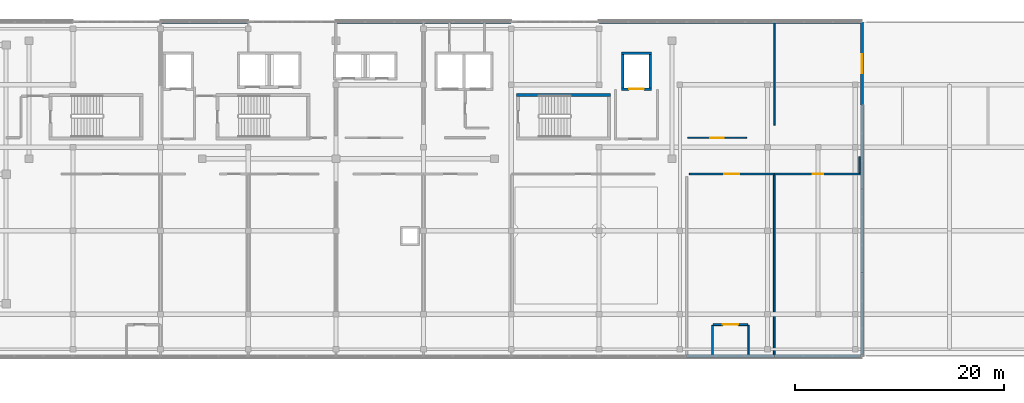
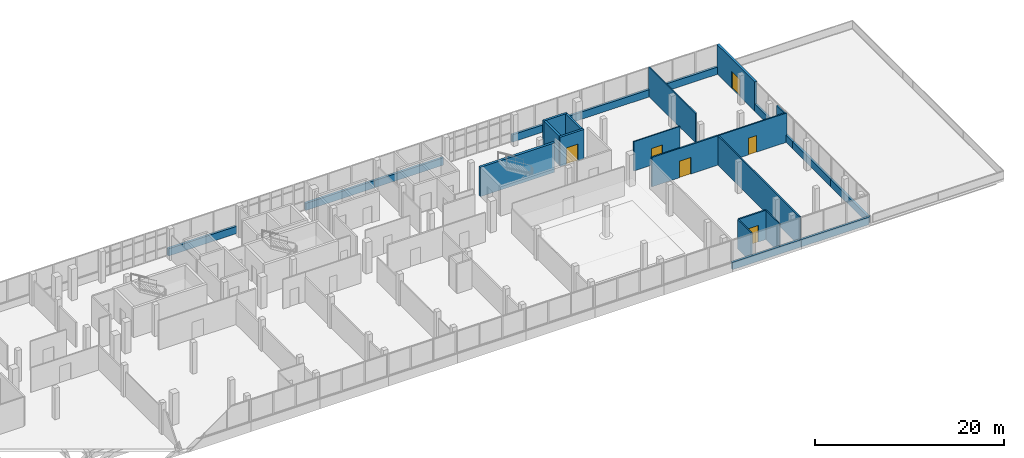
# One storey, part 59 of 66: 26 walls, 6 doors, 6 openings.
"""IFC4 building model written with IfcOpenShell, lengths in metres."""

from ifc_helpers import new_model, si_unit, direction, frame, frame_2d, origin, place, context, subcontext, project, spatial, rectangle, extrude, material, layer, layer_set, type_object, element, fill, save


model = new_model("IFC4")

# Units and contexts
model_context = context("Model", 3, precision=1e-05, world=origin(), true_north=direction((0.0, 1.0)))
body_context = subcontext(model_context, "Body", "Model", "MODEL_VIEW")
ifc_project = project(units=[si_unit("LENGTHUNIT", "METRE"), si_unit("AREAUNIT", "SQUARE_METRE"), si_unit("VOLUMEUNIT", "CUBIC_METRE"), si_unit("PLANEANGLEUNIT", "RADIAN"), si_unit("MASSUNIT", "GRAM", prefix="KILO")], contexts=[model_context])

# Site, building, storey
site_placement = place(None, origin())
site = spatial("IfcSite", under=ifc_project, at=site_placement, CompositionType="ELEMENT")
building_placement = place(site_placement, origin())
building = spatial("IfcBuilding", under=site, at=building_placement, Name="Selatvlak General Hospital", CompositionType="ELEMENT")
storey_placement = place(building_placement, frame((0.0, 0.0, 31.35009765625)))
storey = spatial("IfcBuildingStorey", under=building, at=storey_placement, Name="L07", CompositionType="ELEMENT", Elevation=31.35009765625)

# Walls
ifc_material_1 = material(Name="Precast concrete C40/50 - white Bauhaus spandrel", Category="concrete")
ifc_layer_1 = layer(ifc_material_1, 0.280029296875, Name="Precast concrete C40/50 - white Bauhaus spandrel", Category="concrete")
ifc_layer_set_1 = layer_set([ifc_layer_1], Name="Precast concrete C40/50 - white Bauhaus spandrel")
wall_type_1 = type_object("IfcWallType", Name="WALL-EW-02", PredefinedType="SOLIDWALL", material=ifc_layer_set_1)
wall_1_placement = place(storey_placement, frame((98.40087890625, 120.0, 0.0), z_axis=(0.0, 0.0, 1.0), x_axis=(1.0, 0.0, 0.0)))
element("IfcWall", 1, at=wall_1_placement, inside=storey, type_object=wall_type_1, Name="L07 Bauhaus spandrel sill wall 0576", PredefinedType="SOLIDWALL", context=body_context, shape_type="SweptSolid", body=[
    extrude(rectangle(XDim=8.396240234375, YDim=0.280029296875, at=frame_2d((4.1982421875, 0.0))), origin(), (0.0, 0.0, 1.0), 0.93994140625),
])
for number, where, z_axis, x_axis, name in (
    (2, (115.200927734375, 120.0, 0.0), (0.0, 0.0, 1.0), (1.0, 0.0, 0.0), "L07 Bauhaus spandrel sill wall 0577"),
    (3, (123.60107421875, 120.0, 0.0), (0.0, 0.0, 1.0), (1.0, 0.0, 0.0), "L07 Bauhaus spandrel sill wall 0578"),
):
    element("IfcWall", number, at=place(storey_placement, frame(where, z_axis=z_axis, x_axis=x_axis)), inside=storey, type_object=wall_type_1, Name=name, PredefinedType="SOLIDWALL", context=body_context, shape_type="SweptSolid", body=[
        extrude(rectangle(XDim=8.39599609375, YDim=0.280029296875, at=frame_2d((4.197998046875, 0.0))), origin(), (0.0, 0.0, 1.0), 0.93994140625),
    ])
wall_2_placement = place(storey_placement, frame((140.40087890625, 120.0, 0.0), z_axis=(0.0, 0.0, 1.0), x_axis=(1.0, 0.0, 0.0)))
element("IfcWall", 4, at=wall_2_placement, inside=storey, type_object=wall_type_1, Name="L07 Bauhaus spandrel sill wall 0579", PredefinedType="SOLIDWALL", context=body_context, shape_type="SweptSolid", body=[
    extrude(rectangle(XDim=8.396240234375, YDim=0.280029296875, at=frame_2d((4.1982421875, 0.0))), origin(), (0.0, 0.0, 1.0), 0.93994140625),
])
wall_3_placement = place(storey_placement, frame((148.801025390625, 120.0, 0.0), z_axis=(0.0, 0.0, 1.0), x_axis=(1.0, 0.0, 0.0)))
element("IfcWall", 5, at=wall_3_placement, inside=storey, type_object=wall_type_1, Name="L07 Bauhaus spandrel sill wall 0580", PredefinedType="SOLIDWALL", context=body_context, shape_type="SweptSolid", body=[
    extrude(rectangle(XDim=8.39599609375, YDim=0.280029296875, at=frame_2d((4.197998046875, 0.0))), origin(), (0.0, 0.0, 1.0), 0.93994140625),
])
wall_4_placement = place(storey_placement, frame((157.200927734375, 120.0, 0.0), z_axis=(0.0, 0.0, 1.0), x_axis=(1.0, 0.0, 0.0)))
element("IfcWall", 6, at=wall_4_placement, inside=storey, type_object=wall_type_1, Name="L07 Bauhaus spandrel sill wall 0581", PredefinedType="SOLIDWALL", context=body_context, shape_type="SweptSolid", body=[
    extrude(rectangle(XDim=8.258056640625, YDim=0.280029296875, at=frame_2d((4.12890625, 0.0))), origin(), (0.0, 0.0, 1.0), 0.93994140625),
])

# Wall, opening, door
wall_5_placement = place(storey_placement, frame((165.59912109375, 120.0, 0.0), z_axis=(0.0, 0.0, 1.0), x_axis=(0.0, -1.0, 0.0)))
wall_5 = element("IfcWall", 7, at=wall_5_placement, inside=storey, type_object=wall_type_1, Name="L07 exterior wall 0582", PredefinedType="SOLIDWALL", context=body_context, shape_type="SweptSolid", body=[
    extrude(rectangle(XDim=8.0, YDim=0.280029296875, at=frame_2d((4.0, 0.0))), origin(), (0.0, 0.0, 1.0), 3.784912109375),
])
opening_1_placement = place(wall_5_placement, frame((3.10009765625, 0.0, 0.0)))
opening_1 = element("IfcOpeningElement", 8, at=opening_1_placement, cuts=wall_5, Name="Opening DE-04", PredefinedType="OPENING", context=body_context, shape_type="SweptSolid", body=[
    extrude(rectangle(XDim=1.800048828125, YDim=2.199951171875, at=frame_2d((0.89990234375, 1.10009765625))), frame((0.0, 0.14990234375, 0.0), z_axis=(0.0, -1.0, 0.0), x_axis=(1.0, 0.0, 0.0)), (0.0, 0.0, 1.0), 0.300048828125),
])
ifc_material_2 = material(Name="Anodised aluminium terrace double door", Category="aluminium")
door_type_1 = type_object("IfcDoorType", Name="DOOR-DE-04", OperationType="DOUBLE_DOOR_SINGLE_SWING", PredefinedType="DOOR", material=ifc_material_2)
door_1_placement = place(opening_1_placement, origin())
door_1 = element("IfcDoor", 9, at=door_1_placement, inside=storey, type_object=door_type_1, Name="L07 healing roof terrace door 033", OperationType="DOUBLE_DOOR_SINGLE_SWING", OverallHeight=2.199951171875, OverallWidth=1.800048828125, PredefinedType="DOOR", context=body_context, shape_type="SweptSolid", body=[
    extrude(rectangle(XDim=1.800048828125, YDim=2.199951171875, at=frame_2d((0.89990234375, 1.10009765625))), frame((0.0, 0.02490234375, 0.0), z_axis=(0.0, -1.0, 0.0), x_axis=(1.0, 0.0, 0.0)), (0.0, 0.0, 1.0), 0.050048828125),
])
fill(opening_1, door_1)

# Walls
wall_6_placement = place(storey_placement, frame((165.59912109375, 111.998046875, 0.0), z_axis=(0.0, 0.0, 1.0), x_axis=(0.0, -1.0, 0.0)))
element("IfcWall", 10, at=wall_6_placement, inside=storey, type_object=wall_type_1, Name="L07 Bauhaus spandrel sill wall 0583", PredefinedType="SOLIDWALL", context=body_context, shape_type="SweptSolid", body=[
    extrude(rectangle(XDim=7.9951171875, YDim=0.280029296875, at=frame_2d((3.99755859375, 0.0))), origin(), (0.0, 0.0, 1.0), 0.93994140625),
])
wall_7_placement = place(storey_placement, frame((165.59912109375, 103.9990234375, 0.0), z_axis=(0.0, 0.0, 1.0), x_axis=(0.000122129945, -0.999999992542, 0.0)))
element("IfcWall", 11, at=wall_7_placement, inside=storey, type_object=wall_type_1, Name="L07 Bauhaus spandrel sill wall 0584", PredefinedType="SOLIDWALL", context=body_context, shape_type="SweptSolid", body=[
    extrude(rectangle(XDim=7.99609375, YDim=0.280029296875, at=frame_2d((3.998046875, 0.0))), origin(), (0.0, 0.0, 1.0), 0.93994140625),
])
wall_8_placement = place(storey_placement, frame((165.60009765625, 95.9990234375, 0.0), z_axis=(0.0, 0.0, 1.0), x_axis=(0.0, -1.0, 0.0)))
element("IfcWall", 12, at=wall_8_placement, inside=storey, type_object=wall_type_1, Name="L07 Bauhaus spandrel sill wall 0585", PredefinedType="SOLIDWALL", context=body_context, shape_type="SweptSolid", body=[
    extrude(rectangle(XDim=7.85791015625, YDim=0.280029296875, at=frame_2d((3.928955078125, 0.0))), origin(), (0.0, 0.0, 1.0), 0.93994140625),
])
wall_9_placement = place(storey_placement, frame((165.4599609375, 88.0009765625, 0.0), z_axis=(0.0, 0.0, 1.0), x_axis=(-1.0, 0.0, 0.0)))
element("IfcWall", 13, at=wall_9_placement, inside=storey, type_object=wall_type_1, Name="L07 Bauhaus spandrel sill wall 0586", PredefinedType="SOLIDWALL", context=body_context, shape_type="SweptSolid", body=[
    extrude(rectangle(XDim=8.258056640625, YDim=0.280029296875, at=frame_2d((4.12890625, 0.0))), origin(), (0.0, 0.0, 1.0), 0.93994140625),
])
wall_10_placement = place(storey_placement, frame((157.197998046875, 88.0009765625, 0.0), z_axis=(0.0, 0.0, 1.0), x_axis=(-1.0, 0.0, 0.0)))
element("IfcWall", 14, at=wall_10_placement, inside=storey, type_object=wall_type_1, Name="L07 Bauhaus spandrel sill wall 0587", PredefinedType="SOLIDWALL", context=body_context, shape_type="SweptSolid", body=[
    extrude(rectangle(XDim=8.39599609375, YDim=0.280029296875, at=frame_2d((4.197998046875, 0.0))), origin(), (0.0, 0.0, 1.0), 0.93994140625),
])

# Wall, opening, door
ifc_material_3 = material(Name="Acoustic gypsum stud partition")
ifc_layer_2 = layer(ifc_material_3, 0.179931640625, Name="Acoustic gypsum stud partition")
ifc_layer_set_2 = layer_set([ifc_layer_2], Name="Acoustic gypsum stud partition")
wall_type_2 = type_object("IfcWallType", Name="WALL-PT-01", PredefinedType="PARTITIONING", material=ifc_layer_set_2)
wall_11_placement = place(storey_placement, frame((149.055908203125, 105.43994140625, 0.0), z_axis=(0.0, 0.0, 1.0), x_axis=(1.0, 0.0, 0.0)))
wall_11 = element("IfcWall", 15, at=wall_11_placement, inside=storey, type_object=wall_type_2, Name="L07 clinical partition PT-L07-2106", PredefinedType="PARTITIONING", context=body_context, shape_type="SweptSolid", body=[
    extrude(rectangle(XDim=8.14404296875, YDim=0.179931640625, at=frame_2d((4.072021484375, 0.0))), origin(), (0.0, 0.0, 1.0), 3.784912109375),
])
opening_2_placement = place(wall_11_placement, frame((3.3720703125, 0.0, 0.0)))
opening_2 = element("IfcOpeningElement", 16, at=opening_2_placement, cuts=wall_11, Name="Opening D-11", PredefinedType="OPENING", context=body_context, shape_type="SweptSolid", body=[
    extrude(rectangle(XDim=1.39990234375, YDim=2.14990234375, at=frame_2d((0.699951171875, 1.074951171875))), frame((0.0, 0.099853515625, 0.0), z_axis=(0.0, -1.0, 0.0), x_axis=(1.0, 0.0, 0.0)), (0.0, 0.0, 1.0), 0.199951171875),
])
ifc_material_4 = material(Name="Inpatient suite bed door")
door_type_2 = type_object("IfcDoorType", Name="DOOR-D-11", OperationType="NOTDEFINED", PredefinedType="DOOR", material=ifc_material_4)
door_2_placement = place(opening_2_placement, origin())
door_2 = element("IfcDoor", 17, at=door_2_placement, inside=storey, type_object=door_type_2, Name="L07 Single Patient Room 13 door", OperationType="SINGLE_SWING_LEFT", OverallHeight=2.14990234375, OverallWidth=1.39990234375, PredefinedType="DOOR", context=body_context, shape_type="SweptSolid", body=[
    extrude(rectangle(XDim=1.39990234375, YDim=2.14990234375, at=frame_2d((0.699951171875, 1.074951171875))), frame((0.0, 0.02490234375, 0.0), z_axis=(0.0, -1.0, 0.0), x_axis=(1.0, 0.0, 0.0)), (0.0, 0.0, 1.0), 0.050048828125),
])
fill(opening_2, door_2)

wall_12_placement = place(storey_placement, frame((154.64990234375, 91.0009765625, 0.0), z_axis=(0.0, 0.0, 1.0), x_axis=(-1.0, 0.0, 0.0)))
wall_12 = element("IfcWall", 18, at=wall_12_placement, inside=storey, type_object=wall_type_2, Name="L07 clinical partition PT-L07-2109", PredefinedType="PARTITIONING", context=body_context, shape_type="SweptSolid", body=[
    extrude(rectangle(XDim=3.2998046875, YDim=0.179931640625, at=frame_2d((1.64990234375, 0.0))), origin(), (0.0, 0.0, 1.0), 3.784912109375),
])
opening_3_placement = place(wall_12_placement, frame((0.925048828125, 0.0, 0.0)))
opening_3 = element("IfcOpeningElement", 19, at=opening_3_placement, cuts=wall_12, Name="Opening D-12", PredefinedType="OPENING", context=body_context, shape_type="SweptSolid", body=[
    extrude(rectangle(XDim=1.449951171875, YDim=2.14990234375, at=frame_2d((0.72509765625, 1.074951171875))), frame((0.0, 0.099853515625, 0.0), z_axis=(0.0, -1.0, 0.0), x_axis=(1.0, 0.0, 0.0)), (0.0, 0.0, 1.0), 0.199951171875),
])
ifc_material_5 = material(Name="Isolation anteroom door")
door_type_3 = type_object("IfcDoorType", Name="DOOR-D-12", OperationType="NOTDEFINED", PredefinedType="DOOR", material=ifc_material_5)
door_3_placement = place(opening_3_placement, origin())
door_3 = element("IfcDoor", 20, at=door_3_placement, inside=storey, type_object=door_type_3, Name="L07 Patient En-Suite WC 13 door", OperationType="SINGLE_SWING_RIGHT", OverallHeight=2.14990234375, OverallWidth=1.449951171875, PredefinedType="DOOR", context=body_context, shape_type="SweptSolid", body=[
    extrude(rectangle(XDim=1.449951171875, YDim=2.14990234375, at=frame_2d((0.72509765625, 1.074951171875))), frame((0.0, 0.02490234375, 0.0), z_axis=(0.0, -1.0, 0.0), x_axis=(1.0, 0.0, 0.0)), (0.0, 0.0, 1.0), 0.050048828125),
])
fill(opening_3, door_3)

# Walls
ifc_layer_3 = layer(ifc_material_3, 0.1650390625, Name="Acoustic gypsum stud partition")
ifc_layer_set_3 = layer_set([ifc_layer_3], Name="Acoustic gypsum stud partition")
wall_type_3 = type_object("IfcWallType", Name="WALL-PT-02", PredefinedType="PARTITIONING", material=ifc_layer_set_3)
wall_13_placement = place(storey_placement, frame((157.199951171875, 105.35400390625, 0.0), z_axis=(0.0, 0.0, 1.0), x_axis=(0.0, -1.0, 0.0)))
element("IfcWall", 21, at=wall_13_placement, inside=storey, type_object=wall_type_3, Name="L07 clinical partition PT-L07-2107", PredefinedType="PARTITIONING", context=body_context, shape_type="SweptSolid", body=[
    extrude(rectangle(XDim=17.343994140625, YDim=0.1650390625, at=frame_2d((8.671875, 0.0))), origin(), (0.0, 0.0, 1.0), 3.784912109375),
])
wall_14_placement = place(storey_placement, frame((151.2900390625, 90.94091796875, 0.0), z_axis=(0.0, 0.0, 1.0), x_axis=(0.0, -1.0, 0.0)))
element("IfcWall", 22, at=wall_14_placement, inside=storey, type_object=wall_type_3, Name="L07 clinical partition PT-L07-2110", PredefinedType="PARTITIONING", context=body_context, shape_type="SweptSolid", body=[
    extrude(rectangle(XDim=2.89794921875, YDim=0.1650390625, at=frame_2d((1.448974609375, 0.0))), origin(), (0.0, 0.0, 1.0), 3.784912109375),
])

# Wall, opening, door
wall_15_placement = place(storey_placement, frame((157.199951171875, 105.43994140625, 0.0), z_axis=(0.0, 0.0, 1.0), x_axis=(1.0, 0.0, 0.0)))
wall_15 = element("IfcWall", 23, at=wall_15_placement, inside=storey, type_object=wall_type_3, Name="L07 clinical partition PT-L07-2111", PredefinedType="PARTITIONING", context=body_context, shape_type="SweptSolid", body=[
    extrude(rectangle(XDim=8.35693359375, YDim=0.1650390625, at=frame_2d((4.178466796875, 0.0))), origin(), (0.0, 0.0, 1.0), 3.784912109375),
])
opening_4_placement = place(wall_15_placement, frame((3.677978515625, 0.0, 0.0)))
opening_4 = element("IfcOpeningElement", 24, at=opening_4_placement, cuts=wall_15, Name="Opening D-21", PredefinedType="OPENING", context=body_context, shape_type="SweptSolid", body=[
    extrude(rectangle(XDim=1.0, YDim=2.14990234375, at=frame_2d((0.5, 1.074951171875))), frame((0.0, 0.092529296875, 0.0), z_axis=(0.0, -1.0, 0.0), x_axis=(1.0, 0.0, 0.0)), (0.0, 0.0, 1.0), 0.18505859375),
])
ifc_material_6 = material(Name="Laboratory fire door")
door_type_4 = type_object("IfcDoorType", Name="DOOR-D-21", OperationType="NOTDEFINED", PredefinedType="DOOR", material=ifc_material_6)
door_4_placement = place(opening_4_placement, origin())
door_4 = element("IfcDoor", 25, at=door_4_placement, inside=storey, type_object=door_type_4, Name="L07 Orthopaedic Inpatient Ward Bay 14 door", OperationType="SINGLE_SWING_LEFT", OverallHeight=2.14990234375, OverallWidth=1.0, PredefinedType="DOOR", context=body_context, shape_type="SweptSolid", body=[
    extrude(rectangle(XDim=1.0, YDim=2.14990234375, at=frame_2d((0.5, 1.074951171875))), frame((0.0, 0.02490234375, 0.0), z_axis=(0.0, -1.0, 0.0), x_axis=(1.0, 0.0, 0.0)), (0.0, 0.0, 1.0), 0.050048828125),
])
fill(opening_4, door_4)

# Walls
ifc_layer_4 = layer(ifc_material_3, 0.14990234375, Name="Acoustic gypsum stud partition")
ifc_layer_set_4 = layer_set([ifc_layer_4], Name="Acoustic gypsum stud partition")
wall_type_4 = type_object("IfcWallType", Name="WALL-PT-03", PredefinedType="PARTITIONING", material=ifc_layer_set_4)
wall_16_placement = place(storey_placement, frame((165.360107421875, 105.51904296875, 0.0), z_axis=(0.0, 0.0, 1.0), x_axis=(0.0, 1.0, 0.0)))
element("IfcWall", 26, at=wall_16_placement, inside=storey, type_object=wall_type_4, Name="L07 clinical partition PT-L07-2112", PredefinedType="PARTITIONING", context=body_context, shape_type="SweptSolid", body=[
    extrude(rectangle(XDim=1.5810546875, YDim=0.14990234375, at=frame_2d((0.79052734375, 0.0))), origin(), (0.0, 0.0, 1.0), 3.784912109375),
])
wall_17_placement = place(storey_placement, frame((157.199951171875, 119.989990234375, 0.0), z_axis=(0.0, 0.0, 1.0), x_axis=(0.0, -1.0, 0.0)))
element("IfcWall", 27, at=wall_17_placement, inside=storey, type_object=wall_type_4, Name="L07 clinical partition PT-L07-2147", PredefinedType="PARTITIONING", context=body_context, shape_type="SweptSolid", body=[
    extrude(rectangle(XDim=9.8779296875, YDim=0.14990234375, at=frame_2d((4.93896484375, 0.0))), origin(), (0.0, 0.0, 1.0), 3.784912109375),
])
ifc_material_7 = material(Name="Moisture-resistant clinical partition")
ifc_layer_5 = layer(ifc_material_7, 0.135009765625, Name="Moisture-resistant clinical partition")
ifc_layer_set_5 = layer_set([ifc_layer_5], Name="Moisture-resistant clinical partition")
wall_type_5 = type_object("IfcWallType", Name="WALL-PT-04", PredefinedType="PARTITIONING", material=ifc_layer_set_5)
wall_18_placement = place(storey_placement, frame((154.7099609375, 88.04296875, 0.0), z_axis=(0.0, 0.0, 1.0), x_axis=(0.0, 1.0, 0.0)))
element("IfcWall", 28, at=wall_18_placement, inside=storey, type_object=wall_type_5, Name="L07 clinical partition PT-L07-2108", PredefinedType="PARTITIONING", context=body_context, shape_type="SweptSolid", body=[
    extrude(rectangle(XDim=2.89794921875, YDim=0.135009765625, at=frame_2d((1.448974609375, 0.0))), origin(), (0.0, 0.0, 1.0), 3.784912109375),
])

# Wall, opening, door
wall_19_placement = place(storey_placement, frame((154.5390625, 108.909912109375, 0.0), z_axis=(0.0, 0.0, 1.0), x_axis=(-1.0, 0.0, 0.0)))
wall_19 = element("IfcWall", 29, at=wall_19_placement, inside=storey, type_object=wall_type_5, Name="L07 clinical partition PT-L07-2148", PredefinedType="PARTITIONING", context=body_context, shape_type="SweptSolid", body=[
    extrude(rectangle(XDim=5.653076171875, YDim=0.135009765625, at=frame_2d((2.82666015625, 0.0))), origin(), (0.0, 0.0, 1.0), 3.784912109375),
])
opening_5_placement = place(wall_19_placement, frame((2.176025390625, 0.0, 0.0)))
opening_5 = element("IfcOpeningElement", 30, at=opening_5_placement, cuts=wall_19, Name="Opening D-09", PredefinedType="OPENING", context=body_context, shape_type="SweptSolid", body=[
    extrude(rectangle(XDim=1.300048828125, YDim=2.14990234375, at=frame_2d((0.64990234375, 1.074951171875))), frame((0.0, 0.077392578125, 0.0), z_axis=(0.0, -1.0, 0.0), x_axis=(1.0, 0.0, 0.0)), (0.0, 0.0, 1.0), 0.155029296875),
])
ifc_material_8 = material(Name="Outpatient procedure door")
door_type_5 = type_object("IfcDoorType", Name="DOOR-D-09", OperationType="NOTDEFINED", PredefinedType="DOOR", material=ifc_material_8)
door_5_placement = place(opening_5_placement, origin())
door_5 = element("IfcDoor", 31, at=door_5_placement, inside=storey, type_object=door_type_5, Name="L07 Oncology Inpatient Ward Bay 27 door", OperationType="SINGLE_SWING_LEFT", OverallHeight=2.14990234375, OverallWidth=1.300048828125, PredefinedType="DOOR", context=body_context, shape_type="SweptSolid", body=[
    extrude(rectangle(XDim=1.300048828125, YDim=2.14990234375, at=frame_2d((0.64990234375, 1.074951171875))), frame((0.0, 0.02490234375, 0.0), z_axis=(0.0, -1.0, 0.0), x_axis=(1.0, 0.0, 0.0)), (0.0, 0.0, 1.0), 0.050048828125),
])
fill(opening_5, door_5)

# Wall
ifc_material_9 = material(Name="Concrete C45/55", Category="concrete")
ifc_layer_6 = layer(ifc_material_9, 0.300048828125, Name="Concrete C45/55", Category="concrete")
ifc_layer_set_6 = layer_set([ifc_layer_6], Name="Concrete C45/55")
wall_type_6 = type_object("IfcWallType", Name="WALL-SW-02", PredefinedType="SHEAR", material=ifc_layer_set_6)
wall_20_placement = place(storey_placement, frame((141.510009765625, 113.0, 0.0), z_axis=(0.0, 0.0, 1.0), x_axis=(-1.0, 0.0, 0.0)))
element("IfcWall", 32, at=wall_20_placement, inside=storey, type_object=wall_type_6, Name="ST-04 core shear wall L07 N", PredefinedType="SHEAR", context=body_context, shape_type="SweptSolid", body=[
    extrude(rectangle(XDim=9.02001953125, YDim=0.300048828125, at=frame_2d((4.510009765625, 0.0))), origin(), (0.0, 0.0, 1.0), 3.784912109375),
])

# Wall, opening, door
ifc_material_10 = material(Name="Concrete C40/50", Category="concrete")
ifc_layer_7 = layer(ifc_material_10, 0.25, Name="Concrete C40/50", Category="concrete")
ifc_layer_set_7 = layer_set([ifc_layer_7], Name="Concrete C40/50")
wall_type_7 = type_object("IfcWallType", Name="WALL-SW-03", PredefinedType="SHEAR", material=ifc_layer_set_7)
wall_21_placement = place(storey_placement, frame((142.550048828125, 113.574951171875, 0.0), z_axis=(0.0, 0.0, 1.0), x_axis=(1.0, 0.0, 0.0)))
wall_21 = element("IfcWall", 33, at=wall_21_placement, inside=storey, type_object=wall_type_7, Name="Lift LF-03 shaft wall L07 S", PredefinedType="SHEAR", context=body_context, shape_type="SweptSolid", body=[
    extrude(rectangle(XDim=2.89990234375, YDim=0.25, at=frame_2d((1.449951171875, 0.0))), origin(), (0.0, 0.0, 1.0), 3.784912109375),
])
opening_6_placement = place(wall_21_placement, frame((0.75, 0.0, 0.0)))
opening_6 = element("IfcOpeningElement", 34, at=opening_6_placement, cuts=wall_21, Name="Opening LD-F1", PredefinedType="OPENING", context=body_context, shape_type="SweptSolid", body=[
    extrude(rectangle(XDim=1.39990234375, YDim=2.14990234375, at=frame_2d((0.699951171875, 1.074951171875))), frame((0.0, 0.135009765625, 0.0), z_axis=(0.0, -1.0, 0.0), x_axis=(1.0, 0.0, 0.0)), (0.0, 0.0, 1.0), 0.27001953125),
])
ifc_material_11 = material(Name="Stainless steel fire lift landing door", Category="steel")
door_type_6 = type_object("IfcDoorType", Name="DOOR-LD-F1", OperationType="DOUBLE_DOOR_SLIDING", PredefinedType="DOOR", material=ifc_material_11)
door_6_placement = place(opening_6_placement, origin())
door_6 = element("IfcDoor", 35, at=door_6_placement, inside=storey, type_object=door_type_6, Name="Lift LF-03 sliding landing door on L07", OperationType="DOUBLE_DOOR_SLIDING", OverallHeight=2.14990234375, OverallWidth=1.39990234375, PredefinedType="DOOR", context=body_context, shape_type="SweptSolid", body=[
    extrude(rectangle(XDim=1.39990234375, YDim=2.14990234375, at=frame_2d((0.699951171875, 1.074951171875))), frame((0.0, 0.02490234375, 0.0), z_axis=(0.0, -1.0, 0.0), x_axis=(1.0, 0.0, 0.0)), (0.0, 0.0, 1.0), 0.050048828125),
])
fill(opening_6, door_6)

# Walls
wall_22_placement = place(storey_placement, frame((145.324951171875, 113.699951171875, 0.0), z_axis=(0.0, 0.0, 1.0), x_axis=(0.0, 1.0, 0.0)))
element("IfcWall", 36, at=wall_22_placement, inside=storey, type_object=wall_type_7, Name="Lift LF-03 shaft wall L07 E", PredefinedType="SHEAR", context=body_context, shape_type="SweptSolid", body=[
    extrude(rectangle(XDim=3.199951171875, YDim=0.25, at=frame_2d((1.60009765625, 0.0))), origin(), (0.0, 0.0, 1.0), 3.784912109375),
])
wall_23_placement = place(storey_placement, frame((145.449951171875, 117.02490234375, 0.0), z_axis=(0.0, 0.0, 1.0), x_axis=(-1.0, 0.0, 0.0)))
element("IfcWall", 37, at=wall_23_placement, inside=storey, type_object=wall_type_7, Name="Lift LF-03 shaft wall L07 N", PredefinedType="SHEAR", context=body_context, shape_type="SweptSolid", body=[
    extrude(rectangle(XDim=2.89990234375, YDim=0.25, at=frame_2d((1.449951171875, 0.0))), origin(), (0.0, 0.0, 1.0), 3.784912109375),
])
wall_24_placement = place(storey_placement, frame((142.675048828125, 116.89990234375, 0.0), z_axis=(0.0, 0.0, 1.0), x_axis=(0.0, -1.0, 0.0)))
element("IfcWall", 38, at=wall_24_placement, inside=storey, type_object=wall_type_7, Name="Lift LF-03 shaft wall L07 W", PredefinedType="SHEAR", context=body_context, shape_type="SweptSolid", body=[
    extrude(rectangle(XDim=3.199951171875, YDim=0.25, at=frame_2d((1.60009765625, 0.0))), origin(), (0.0, 0.0, 1.0), 3.784912109375),
])

save(model, "model.ifc")
